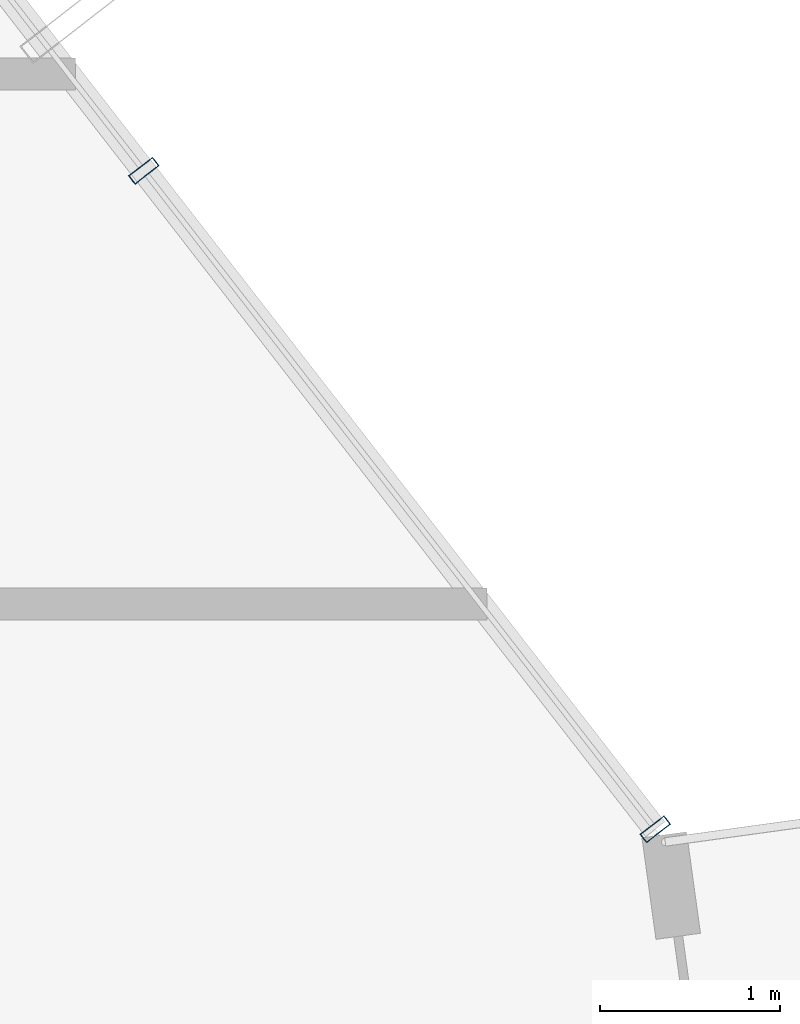
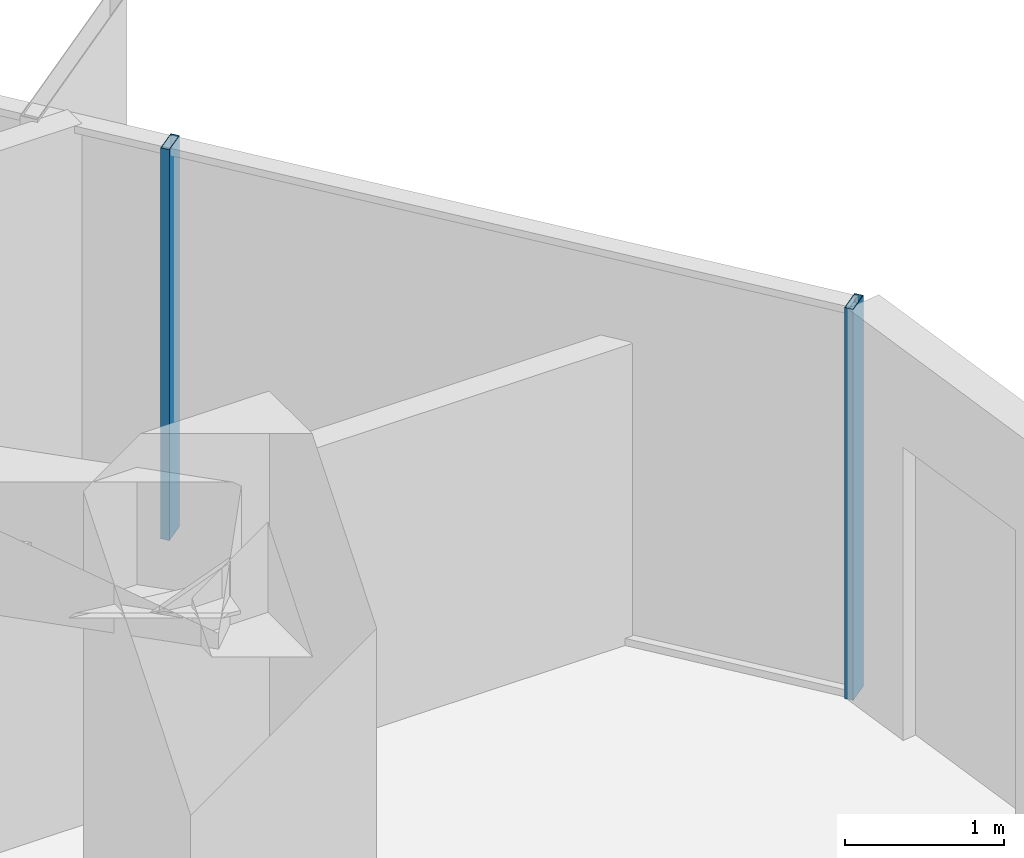
# One storey, part 20 of 37: 2 members, 1 element without a shape of its own.
"""IFC4 building model written with IfcOpenShell, lengths in metres."""

from ifc_helpers import new_model, si_unit, direction, frame, origin, origin_2d, place, context, subcontext, project, spatial, hollow_rectangle, extrude, source, transform, mapped, material, layer, layer_set, material_profile, profile_set, type_object, element, aggregate, save


model = new_model("IFC4")

# Units and contexts
model_context = context("Model", 3, precision=1e-05, world=origin(), true_north=direction((0.0, 1.0)))
body_context = subcontext(model_context, "Body", "Model", "MODEL_VIEW")
ifc_project = project(units=[si_unit("LENGTHUNIT", "METRE"), si_unit("AREAUNIT", "SQUARE_METRE"), si_unit("VOLUMEUNIT", "CUBIC_METRE"), si_unit("PLANEANGLEUNIT", "RADIAN"), si_unit("MASSUNIT", "GRAM", prefix="KILO")], contexts=[model_context])

# Site, building, storey
site_placement = place(None, origin())
site = spatial("IfcSite", under=ifc_project, at=site_placement, CompositionType="ELEMENT")
building_placement = place(site_placement, origin())
building = spatial("IfcBuilding", under=site, at=building_placement, Name="Veraguas Prism Commons", CompositionType="ELEMENT")
storey_placement = place(building_placement, frame((0.0, 0.0, 50.050048828125)))
storey = spatial("IfcBuildingStorey", under=building, at=storey_placement, Name="L13", CompositionType="ELEMENT", Elevation=50.050048828125)

# Curtain wall, members
ifc_material = material(Name="Anodised aluminium EN AW-6063 T6", Category="aluminium")
ifc_layer = layer(ifc_material, 0.169921875, Name="Unitised Flush Curtain Wall Zone 1", Category="aluminium")
ifc_layer_set = layer_set([ifc_layer], Name="Anodised aluminium EN AW-6063 T6")
curtain_wall_type = type_object("IfcCurtainWallType", Name="Unitised Flush Curtain Wall Zone 1", PredefinedType="NOTDEFINED", material=ifc_layer_set)
curtain_wall_placement = place(storey_placement, origin())
curtain_wall = element("IfcCurtainWall", 1, at=curtain_wall_placement, inside=storey, type_object=curtain_wall_type, Name="Tower Facade Curtain Wall L13-F1", PredefinedType="NOTDEFINED")
ifc_material_profile = material_profile(ifc_material, hollow_rectangle(XDim=0.06005859375, YDim=0.169921875, WallThickness=0.00390625, at=origin_2d()), Name="AL60X170X4")
ifc_profile_set = profile_set([ifc_material_profile], Name="Anodised aluminium EN AW-6063 T6")
member_type = type_object("IfcMemberType", Name="Curtain Wall Mullion Lower AL 60x170x4", PredefinedType="MULLION", material=ifc_profile_set)
shared_shape = source(origin(), body_context, "Body", "SweptSolid", [
    extrude(hollow_rectangle(XDim=0.06005859375, YDim=0.169921875, WallThickness=0.00390625, at=origin_2d()), origin(), (0.0, 0.0, 1.0), 3.0),
])
member_1_placement = place(storey_placement, frame((46.126708984375, 29.396484375, 0.0), z_axis=(0.0, 0.0, 1.0), x_axis=(-0.613461293172, 0.789724788632, 0.0)))
member_1 = element("IfcMember", 2, at=member_1_placement, type_object=member_type, Name="CW-Z1 Mullion 1", PredefinedType="MULLION", context=body_context, shape_type="MappedRepresentation", body=[
    mapped(shared_shape, transform((0.0, 0.0, 0.0), scale=1.0)),
])
member_2_placement = place(storey_placement, frame((43.279541015625, 33.061767578125, 0.0), z_axis=(0.0, 0.0, 1.0), x_axis=(-0.613461293172, 0.789724788632, 0.0)))
member_2 = element("IfcMember", 3, at=member_2_placement, type_object=member_type, Name="CW-Z1 Mullion 2", PredefinedType="MULLION", context=body_context, shape_type="MappedRepresentation", body=[
    mapped(shared_shape, transform((0.0, 0.0, 0.0), scale=1.0)),
])
aggregate(curtain_wall, [member_1, member_2])

save(model, "model.ifc")
